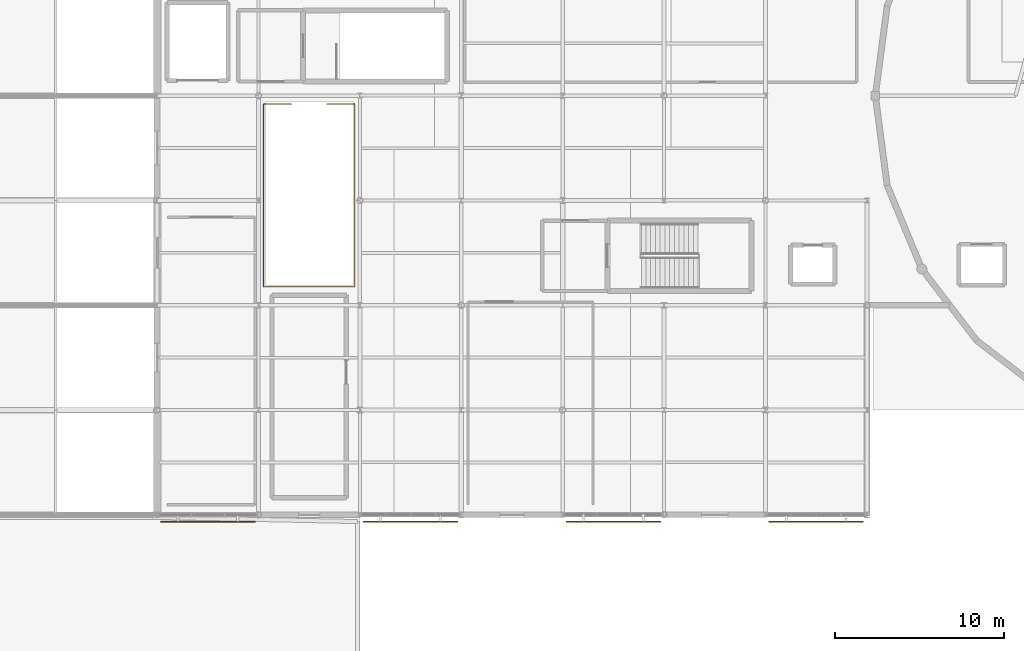
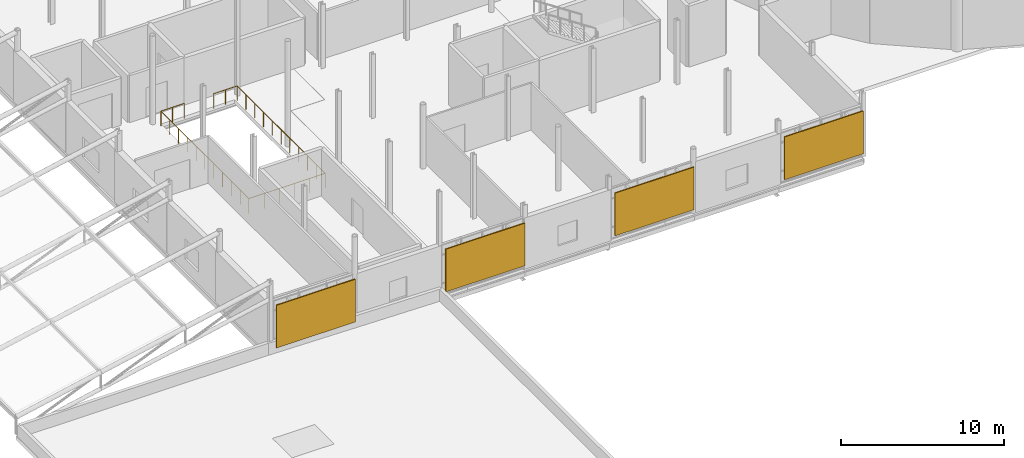
# One storey, part 76 of 84: 4 shading devices, 1 railing.
"""IFC4 building model written with IfcOpenShell, lengths in metres."""

from ifc_helpers import new_model, si_unit, direction, frame, origin, origin_2d, place, context, subcontext, project, spatial, rectangle, circle, extrude, material, layer, layer_set, type_object, element, save


model = new_model("IFC4")

# Units and contexts
model_context = context("Model", 3, precision=1e-05, world=origin(), true_north=direction((0.0, 1.0)))
body_context = subcontext(model_context, "Body", "Model", "MODEL_VIEW")
ifc_project = project(units=[si_unit("LENGTHUNIT", "METRE"), si_unit("AREAUNIT", "SQUARE_METRE"), si_unit("VOLUMEUNIT", "CUBIC_METRE"), si_unit("PLANEANGLEUNIT", "RADIAN"), si_unit("MASSUNIT", "GRAM", prefix="KILO")], contexts=[model_context])

# Site, building, storey
site_placement = place(None, origin())
site = spatial("IfcSite", under=ifc_project, at=site_placement, CompositionType="ELEMENT")
building_placement = place(site_placement, origin())
building = spatial("IfcBuilding", under=site, at=building_placement, Name="Mirzam Square Science Centre", CompositionType="ELEMENT")
storey_placement = place(building_placement, frame((0.0, 0.0, 10.800048828125)))
storey = spatial("IfcBuildingStorey", under=building, at=storey_placement, Name="L02", CompositionType="ELEMENT", Elevation=10.800048828125)

# Railing
ifc_material_1 = material(Name="Bronze-Anodised Architectural Balustrade", Category="aluminium")
railing_type = type_object("IfcRailingType", Name="RL-INT-GUARD-1100", PredefinedType="GUARDRAIL", material=ifc_material_1)
railing_placement = place(storey_placement, frame((28.050048828125, 61.5, 0.0)))
element("IfcRailing", 1, at=railing_placement, inside=storey, type_object=railing_type, Name="L02 exh3-void edge guard", PredefinedType="GUARDRAIL", context=body_context, shape_type="SweptSolid", body=[
    extrude(circle(Radius=0.02392578125, at=origin_2d()), frame((0.0, 0.0, 1.09619140625), z_axis=(1.0, 0.0, 0.0), x_axis=(0.0, 1.0, 0.0)), (0.0, 0.0, 1.0), 1.64990234375),
    extrude(circle(Radius=0.02392578125, at=origin_2d()), frame((1.64990234375, 0.0, 1.09619140625), z_axis=(0.0, -1.0, 0.0), x_axis=(1.0, 0.0, 0.0)), (0.0, 0.0, 1.0), 10.800048828125),
    extrude(circle(Radius=0.02392578125, at=origin_2d()), frame((1.64990234375, -10.800048828125, 1.09619140625), z_axis=(-1.0, 0.0, 0.0), x_axis=(0.0, -1.0, 0.0)), (0.0, 0.0, 1.0), 5.39990234375),
    extrude(circle(Radius=0.02392578125, at=origin_2d()), frame((-3.75, -10.800048828125, 1.09619140625), z_axis=(0.0, 1.0, 0.0), x_axis=(-1.0, 0.0, 0.0)), (0.0, 0.0, 1.0), 10.800048828125),
    extrude(circle(Radius=0.02392578125, at=origin_2d()), frame((-3.75, 0.0, 1.09619140625), z_axis=(1.0, 0.0, 0.0), x_axis=(0.0, 1.0, 0.0)), (0.0, 0.0, 1.0), 1.64990234375),
    extrude(circle(Radius=0.02099609375, at=origin_2d()), origin(), (0.0, 0.0, 1.0), 1.072021484375),
    extrude(circle(Radius=0.02099609375, at=origin_2d()), frame((0.824951171875, 0.0, 0.0)), (0.0, 0.0, 1.0), 1.072021484375),
    extrude(circle(Radius=0.02099609375, at=origin_2d()), frame((1.64990234375, 0.0, 0.0)), (0.0, 0.0, 1.0), 1.072021484375),
    extrude(circle(Radius=0.02099609375, at=origin_2d()), frame((1.64990234375, -1.080078125, 0.0)), (0.0, 0.0, 1.0), 1.072021484375),
    extrude(circle(Radius=0.02099609375, at=origin_2d()), frame((1.64990234375, -2.159912109375, 0.0)), (0.0, 0.0, 1.0), 1.072021484375),
    extrude(circle(Radius=0.02099609375, at=origin_2d()), frame((1.64990234375, -3.239990234375, 0.0)), (0.0, 0.0, 1.0), 1.072021484375),
    extrude(circle(Radius=0.02099609375, at=origin_2d()), frame((1.64990234375, -4.320068359375, 0.0)), (0.0, 0.0, 1.0), 1.072021484375),
    extrude(circle(Radius=0.02099609375, at=origin_2d()), frame((1.64990234375, -5.39990234375, 0.0)), (0.0, 0.0, 1.0), 1.072021484375),
    extrude(circle(Radius=0.02099609375, at=origin_2d()), frame((1.64990234375, -6.47998046875, 0.0)), (0.0, 0.0, 1.0), 1.072021484375),
    extrude(circle(Radius=0.02099609375, at=origin_2d()), frame((1.64990234375, -7.56005859375, 0.0)), (0.0, 0.0, 1.0), 1.072021484375),
    extrude(circle(Radius=0.02099609375, at=origin_2d()), frame((1.64990234375, -8.64013671875, 0.0)), (0.0, 0.0, 1.0), 1.072021484375),
    extrude(circle(Radius=0.02099609375, at=origin_2d()), frame((1.64990234375, -9.719970703125, 0.0)), (0.0, 0.0, 1.0), 1.072021484375),
    extrude(circle(Radius=0.02099609375, at=origin_2d()), frame((1.64990234375, -10.800048828125, 0.0)), (0.0, 0.0, 1.0), 1.072021484375),
    extrude(circle(Radius=0.02099609375, at=origin_2d()), frame((0.56982421875, -10.800048828125, 0.0)), (0.0, 0.0, 1.0), 1.072021484375),
    extrude(circle(Radius=0.02099609375, at=origin_2d()), frame((-0.510009765625, -10.800048828125, 0.0)), (0.0, 0.0, 1.0), 1.072021484375),
    extrude(circle(Radius=0.02099609375, at=origin_2d()), frame((-1.590087890625, -10.800048828125, 0.0)), (0.0, 0.0, 1.0), 1.072021484375),
    extrude(circle(Radius=0.02099609375, at=origin_2d()), frame((-2.669921875, -10.800048828125, 0.0)), (0.0, 0.0, 1.0), 1.072021484375),
    extrude(circle(Radius=0.02099609375, at=origin_2d()), frame((-3.75, -10.800048828125, 0.0)), (0.0, 0.0, 1.0), 1.072021484375),
    extrude(circle(Radius=0.02099609375, at=origin_2d()), frame((-3.75, -9.719970703125, 0.0)), (0.0, 0.0, 1.0), 1.072021484375),
    extrude(circle(Radius=0.02099609375, at=origin_2d()), frame((-3.75, -8.64013671875, 0.0)), (0.0, 0.0, 1.0), 1.072021484375),
    extrude(circle(Radius=0.02099609375, at=origin_2d()), frame((-3.75, -7.56005859375, 0.0)), (0.0, 0.0, 1.0), 1.072021484375),
    extrude(circle(Radius=0.02099609375, at=origin_2d()), frame((-3.75, -6.47998046875, 0.0)), (0.0, 0.0, 1.0), 1.072021484375),
    extrude(circle(Radius=0.02099609375, at=origin_2d()), frame((-3.75, -5.39990234375, 0.0)), (0.0, 0.0, 1.0), 1.072021484375),
    extrude(circle(Radius=0.02099609375, at=origin_2d()), frame((-3.75, -4.320068359375, 0.0)), (0.0, 0.0, 1.0), 1.072021484375),
    extrude(circle(Radius=0.02099609375, at=origin_2d()), frame((-3.75, -3.239990234375, 0.0)), (0.0, 0.0, 1.0), 1.072021484375),
    extrude(circle(Radius=0.02099609375, at=origin_2d()), frame((-3.75, -2.159912109375, 0.0)), (0.0, 0.0, 1.0), 1.072021484375),
    extrude(circle(Radius=0.02099609375, at=origin_2d()), frame((-3.75, -1.080078125, 0.0)), (0.0, 0.0, 1.0), 1.072021484375),
    extrude(circle(Radius=0.02099609375, at=origin_2d()), frame((-3.75, 0.0, 0.0)), (0.0, 0.0, 1.0), 1.072021484375),
    extrude(circle(Radius=0.02099609375, at=origin_2d()), frame((-2.925048828125, 0.0, 0.0)), (0.0, 0.0, 1.0), 1.072021484375),
    extrude(circle(Radius=0.02099609375, at=origin_2d()), frame((-2.10009765625, 0.0, 0.0)), (0.0, 0.0, 1.0), 1.072021484375),
])

# Shading devices
ifc_material_2 = material(Name="Perforated Bronze-Anodised Aluminium Brise-Soleil", Category="aluminium")
ifc_layer = layer(ifc_material_2, 0.080078125)
ifc_layer_set = layer_set([ifc_layer], Name="SHD-BRISE-BRONZE")
shading_device_type = type_object("IfcShadingDeviceType", Name="SHD-BRISE-BRONZE", PredefinedType="JALOUSIE", material=ifc_layer_set)
for number, where, z_axis, x_axis, name in (
    (2, (21.0, 36.7900390625, 0.48974609375), (0.0, 0.0, 1.0), (1.0, 0.0, 0.0), "L02 bronze brise-soleil screen 25"),
    (3, (33.0, 36.7900390625, 0.48974609375), (0.0, 0.0, 1.0), (1.0, 0.0, 0.0), "L02 bronze brise-soleil screen 26"),
    (4, (45.0, 36.7900390625, 0.48974609375), (0.0, 0.0, 1.0), (1.0, 0.0, 0.0), "L02 bronze brise-soleil screen 27"),
    (5, (57.0, 36.7900390625, 0.48974609375), (0.0, 0.0, 1.0), (1.0, 0.0, 0.0), "L02 bronze brise-soleil screen 28"),
):
    element("IfcShadingDevice", number, at=place(storey_placement, frame(where, z_axis=z_axis, x_axis=x_axis)), inside=storey, type_object=shading_device_type, Name=name, PredefinedType="JALOUSIE", context=body_context, shape_type="SweptSolid", body=[
        extrude(rectangle(XDim=5.590087890625, YDim=0.080078125, at=origin_2d()), origin(), (0.0, 0.0, 1.0), 3.199951171875),
    ])

save(model, "model.ifc")
